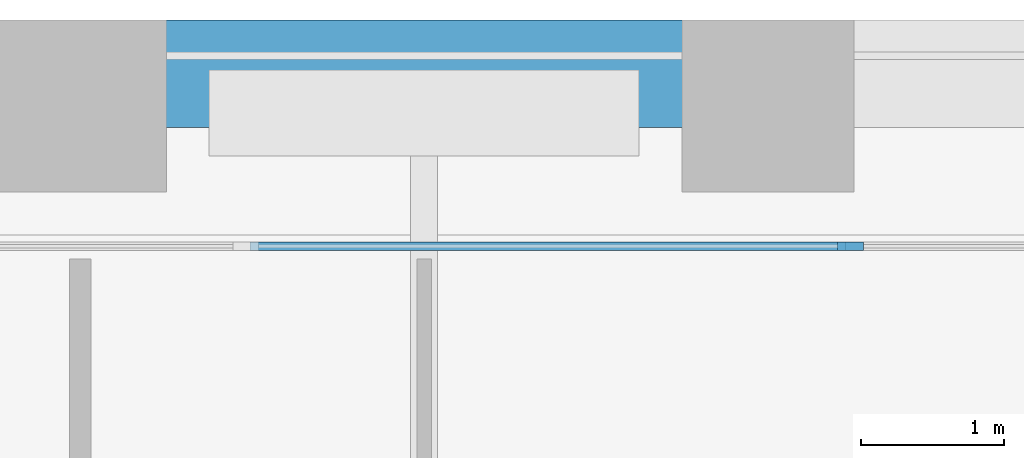
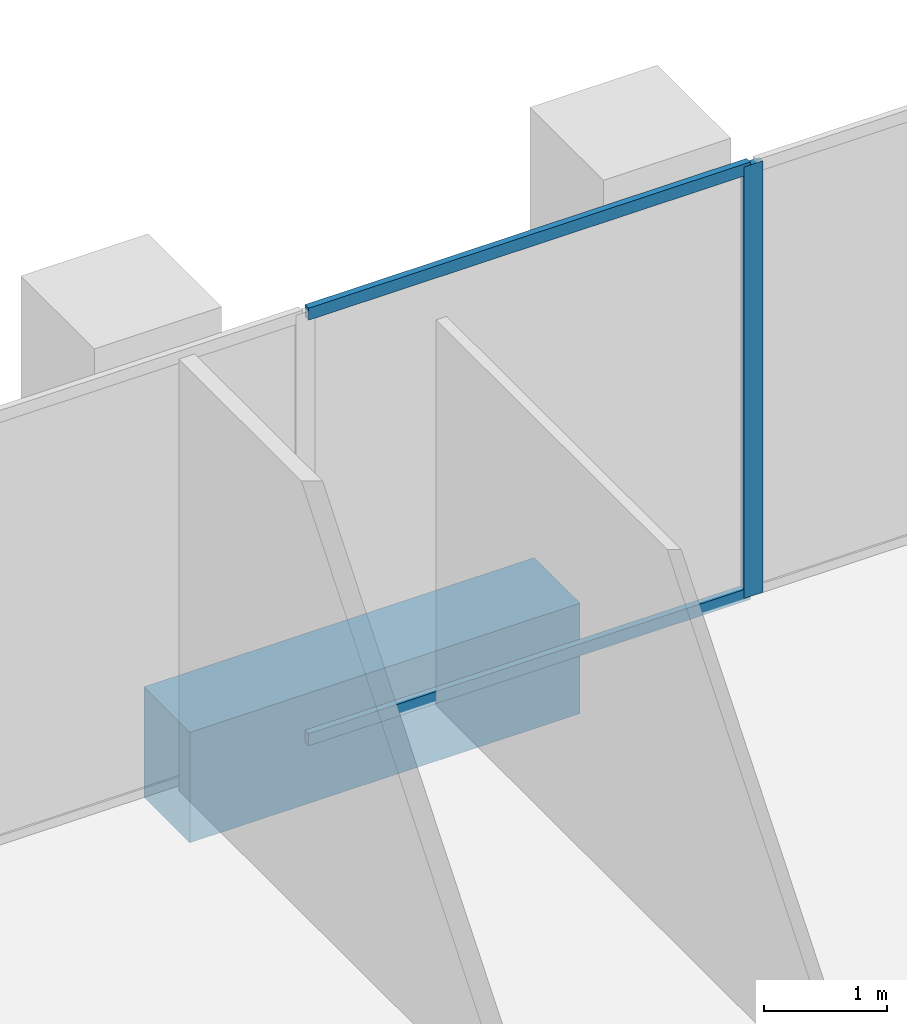
# One storey, part 8 of 27: 3 members, 1 beam, 1 element without a shape of its own.
"""IFC4 building model written with IfcOpenShell, lengths in metres."""

from ifc_helpers import new_model, si_unit, direction, frame, origin, origin_2d, place, context, subcontext, project, spatial, rectangle, extrude, material, material_profile, profile_set, type_object, element, aggregate, save


model = new_model("IFC4")

# Units and contexts
model_context = context("Model", 3, precision=1e-05, world=origin(), true_north=direction((0.0, 1.0)))
body_context = subcontext(model_context, "Body", "Model", "MODEL_VIEW")
ifc_project = project(units=[si_unit("LENGTHUNIT", "METRE"), si_unit("AREAUNIT", "SQUARE_METRE"), si_unit("VOLUMEUNIT", "CUBIC_METRE"), si_unit("PLANEANGLEUNIT", "RADIAN"), si_unit("MASSUNIT", "GRAM", prefix="KILO")], contexts=[model_context])

# Site, building, storey
site_placement = place(None, origin())
site = spatial("IfcSite", under=ifc_project, at=site_placement, CompositionType="ELEMENT")
building_placement = place(site_placement, origin())
building = spatial("IfcBuilding", under=site, at=building_placement, Name="Kolab Exchange Tower", CompositionType="ELEMENT")
storey_placement = place(building_placement, frame((0.0, 0.0, 109.39990234375)))
storey = spatial("IfcBuildingStorey", under=building, at=storey_placement, Name="L21", CompositionType="ELEMENT", Elevation=109.39990234375)

# Beam
ifc_material_1 = material(Name="Concrete C70/85", Category="concrete")
ifc_material_profile_1 = material_profile(ifc_material_1, rectangle(XDim=0.75, YDim=1.10009765625, at=origin_2d()), Name="RC750X1100")
ifc_profile_set_1 = profile_set([ifc_material_profile_1], Name="Concrete C70/85")
beam_type = type_object("IfcBeamType", Name="SPANDREL BEAM 750X1100 C70/85", PredefinedType="BEAM", material=ifc_profile_set_1)
beam_placement = place(storey_placement, frame((-11.43994140625, 28.723388671875, -0.75), z_axis=(1.0, 0.0, 0.0), x_axis=(0.0, 1.0, 0.0)))
element("IfcBeam", 1, at=beam_placement, inside=storey, type_object=beam_type, Name="beam/L21/sp/F1-02", PredefinedType="BEAM", context=body_context, shape_type="SweptSolid", body=[
    extrude(rectangle(XDim=0.75, YDim=1.10009765625, at=origin_2d()), origin(), (0.0, 0.0, 1.0), 3.679931640625),
])

# Curtain wall, members
ifc_material_2 = material(Name="Aluminium EN AW-6063 T6", Category="aluminium")
curtain_wall_type = type_object("IfcCurtainWallType", Name="UNITISED LOWER MID ZONE CURTAIN WALL", PredefinedType="NOTDEFINED", material=ifc_material_2)
curtain_wall_placement = place(storey_placement, origin())
curtain_wall = element("IfcCurtainWall", 2, at=curtain_wall_placement, inside=storey, type_object=curtain_wall_type, Name="cw/L21/F1-1", PredefinedType="NOTDEFINED")
ifc_material_profile_2 = material_profile(ifc_material_2, rectangle(XDim=0.06005859375, YDim=0.179931640625, at=origin_2d()), Name="RECT 60X180")
ifc_profile_set_2 = profile_set([ifc_material_profile_2], Name="Aluminium EN AW-6063 T6")
member_type_1 = type_object("IfcMemberType", Name="UNITISED LOWER MID ZONE MULLION 60 X 180", PredefinedType="MULLION", material=ifc_profile_set_2)
member_1_placement = place(storey_placement, frame((-6.62255859375, 27.5185546875, 0.0), z_axis=(0.0, 0.0, 1.0), x_axis=(0.0, 1.0, 0.0)))
member_1 = element("IfcMember", 3, at=member_1_placement, type_object=member_type_1, Name="CW2 mullion 3", PredefinedType="MULLION", context=body_context, shape_type="SweptSolid", body=[
    extrude(rectangle(XDim=0.06005859375, YDim=0.179931640625, at=origin_2d()), origin(), (0.0, 0.0, 1.0), 4.300048828125),
])
ifc_material_profile_3 = material_profile(ifc_material_2, rectangle(XDim=0.06005859375, YDim=0.1201171875, at=origin_2d()), Name="RECT 60X120")
ifc_profile_set_3 = profile_set([ifc_material_profile_3], Name="Aluminium EN AW-6063 T6")
member_type_2 = type_object("IfcMemberType", Name="UNITISED LOWER MID ZONE TRANSOM 60 X 120", PredefinedType="USERDEFINED", material=ifc_profile_set_3)
member_2_placement = place(storey_placement, frame((-10.815185546875, 27.5185546875, 0.030029296875), z_axis=(1.0, 0.0, 0.0), x_axis=(0.0, 1.0, 0.0)))
member_2 = element("IfcMember", 4, at=member_2_placement, type_object=member_type_2, Name="CW2 transom 2.1", ObjectType="TRANSOM", PredefinedType="USERDEFINED", context=body_context, shape_type="SweptSolid", body=[
    extrude(rectangle(XDim=0.06005859375, YDim=0.1201171875, at=origin_2d()), origin(), (0.0, 0.0, 1.0), 4.16259765625),
])
member_3_placement = place(storey_placement, frame((-10.815185546875, 27.5185546875, 4.27001953125), z_axis=(1.0, 0.0, 0.0), x_axis=(0.0, 1.0, 0.0)))
member_3 = element("IfcMember", 5, at=member_3_placement, type_object=member_type_2, Name="CW2 transom 2.2", ObjectType="TRANSOM", PredefinedType="USERDEFINED", context=body_context, shape_type="SweptSolid", body=[
    extrude(rectangle(XDim=0.06005859375, YDim=0.1201171875, at=origin_2d()), origin(), (0.0, 0.0, 1.0), 4.16259765625),
])
aggregate(curtain_wall, [member_1, member_2, member_3])

save(model, "model.ifc")
